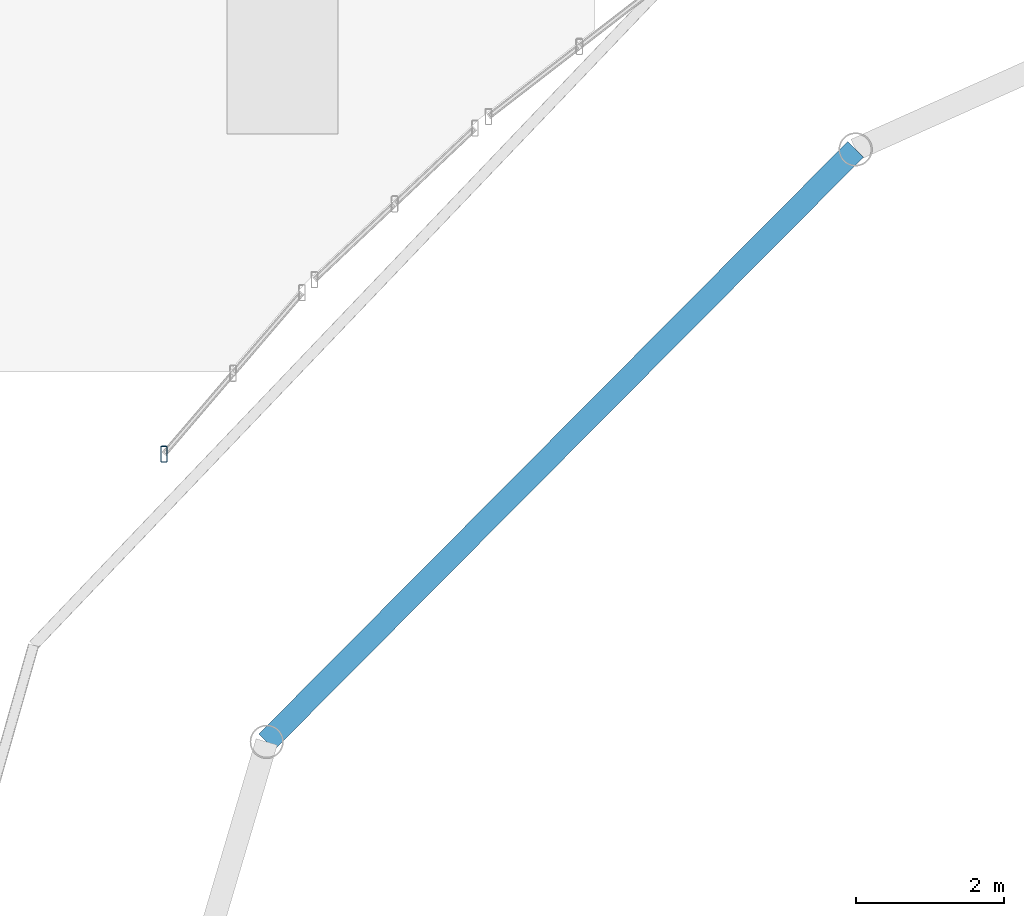
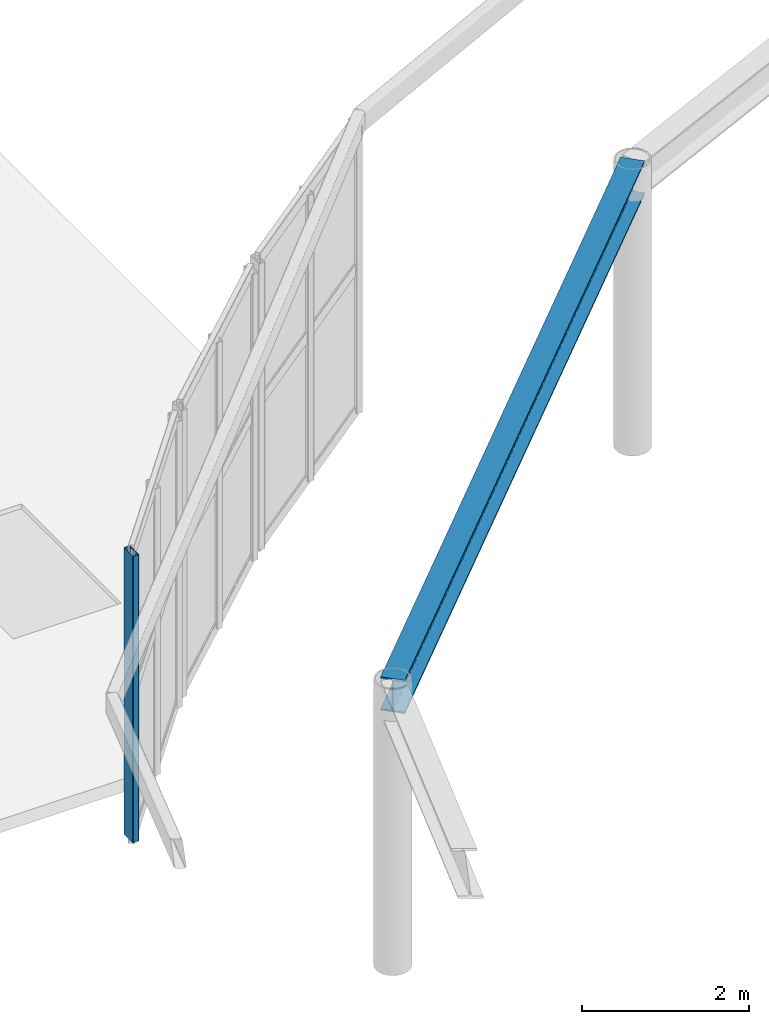
# One storey, part 21 of 73: 1 beam, 1 member, 1 element without a shape of its own.
"""IFC4 building model written with IfcOpenShell, lengths in metres."""

from ifc_helpers import new_model, si_unit, derived_unit, direction, frame, origin, origin_2d, place, context, subcontext, project, spatial, hollow_rectangle, i_section, extrude, material, material_profile, profile_set, type_object, element, aggregate, save


model = new_model("IFC4")

# Units and contexts
model_context = context("Model", 3, precision=1e-05, world=origin(), true_north=direction((0.0, 1.0)))
body_context = subcontext(model_context, "Body", "Model", "MODEL_VIEW")
ifc_project = project(units=[si_unit("LENGTHUNIT", "METRE"), si_unit("AREAUNIT", "SQUARE_METRE"), si_unit("VOLUMEUNIT", "CUBIC_METRE"), si_unit("PLANEANGLEUNIT", "RADIAN"), si_unit("MASSUNIT", "GRAM", prefix="KILO"), derived_unit("THERMALTRANSMITTANCEUNIT", [(si_unit("MASSUNIT", "GRAM", prefix="KILO"), 1), (si_unit("TIMEUNIT", "SECOND"), -3), (si_unit("THERMODYNAMICTEMPERATUREUNIT", "KELVIN"), -1)])], contexts=[model_context])

# Site, building, storey
site_placement = place(None, origin())
site = spatial("IfcSite", under=ifc_project, at=site_placement, CompositionType="ELEMENT")
building_placement = place(site_placement, origin())
building = spatial("IfcBuilding", under=site, at=building_placement, Name="Kharveza Railside Sports Centre", CompositionType="ELEMENT")
storey_placement = place(building_placement, frame((0.0, 0.0, 8.699951171875)))
storey = spatial("IfcBuildingStorey", under=building, at=storey_placement, Name="L02", CompositionType="ELEMENT", Elevation=8.699951171875)

# Beam
ifc_material_1 = material(Name="Steel S355J2", Category="steel")
ifc_material_profile_1 = material_profile(ifc_material_1, i_section(OverallWidth=0.300048828125, OverallDepth=0.489990234375, WebThickness=0.011962890625, FlangeThickness=0.02294921875, FilletRadius=0.027099609375, at=origin_2d()), Name="HEA 500")
ifc_profile_set_1 = profile_set([ifc_material_profile_1], Name="Steel S355J2")
beam_type = type_object("IfcBeamType", Name="BM-G08", PredefinedType="T_BEAM", material=ifc_profile_set_1)
beam_placement = place(storey_placement, frame((28.719970703125, 67.794921875, 3.949951171875), z_axis=(-0.705021062231, -0.709186366064, 0.0), x_axis=(0.709186366064, -0.705021062231, 0.0)))
element("IfcBeam", 1, at=beam_placement, inside=storey, type_object=beam_type, Name="BM-DRING-L02-07", PredefinedType="T_BEAM", context=body_context, shape_type="SweptSolid", body=[
    extrude(i_section(OverallWidth=0.300048828125, OverallDepth=0.489990234375, WebThickness=0.011962890625, FlangeThickness=0.02294921875, FilletRadius=0.027099609375, at=origin_2d()), origin(), (0.0, 0.0, 1.0), 11.253662109375),
])

# Curtain wall, member
ifc_material_2 = material(Name="Low-E solar-control laminated glass", Category="glass")
curtain_wall_type = type_object("IfcCurtainWallType", Name="CW-DR01", PredefinedType="NOTDEFINED", material=ifc_material_2)
curtain_wall_placement = place(storey_placement, origin())
curtain_wall = element("IfcCurtainWall", 2, at=curtain_wall_placement, inside=storey, type_object=curtain_wall_type, Name="CW-DRUM-27", PredefinedType="NOTDEFINED")
ifc_material_3 = material(Name="Anodised aluminium 6063-T6", Category="aluminium")
ifc_material_profile_2 = material_profile(ifc_material_3, hollow_rectangle(XDim=0.090087890625, YDim=0.219970703125, WallThickness=0.008056640625, InnerFilletRadius=0.008056640625, OuterFilletRadius=0.01611328125, at=origin_2d()), Name="RHS 90x220x8.0")
ifc_profile_set_2 = profile_set([ifc_material_profile_2], Name="Anodised aluminium 6063-T6")
member_type = type_object("IfcMemberType", Name="CW-ML01", PredefinedType="MULLION", material=ifc_profile_set_2)
member_placement = place(storey_placement, frame((19.401123046875, 63.690185546875, 0.0), z_axis=(0.0, 0.0, 1.0), x_axis=(1.0, 0.0, 0.0)))
member = element("IfcMember", 3, at=member_placement, type_object=member_type, Name="CW-DRUM-27-ML3", PredefinedType="MULLION", context=body_context, shape_type="SweptSolid", body=[
    extrude(hollow_rectangle(XDim=0.090087890625, YDim=0.219970703125, WallThickness=0.008056640625, InnerFilletRadius=0.008056640625, OuterFilletRadius=0.01611328125, at=origin_2d()), origin(), (0.0, 0.0, 1.0), 4.199951171875),
])
aggregate(curtain_wall, [member])

save(model, "model.ifc")
